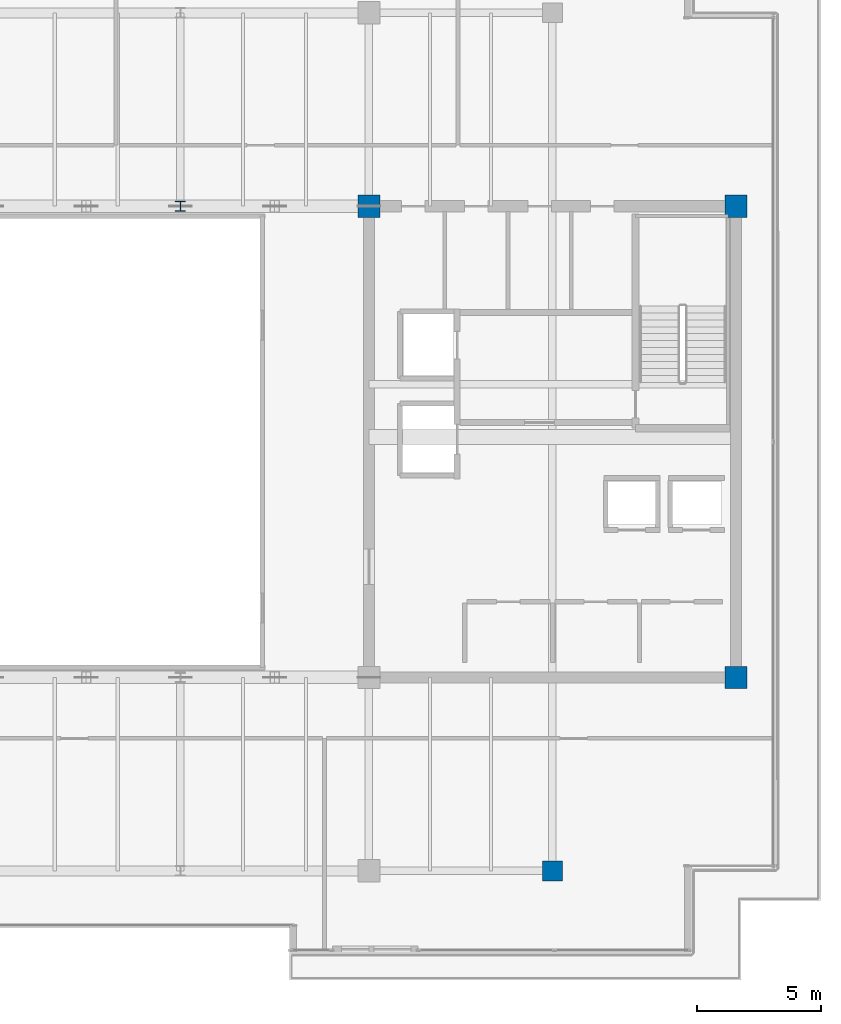
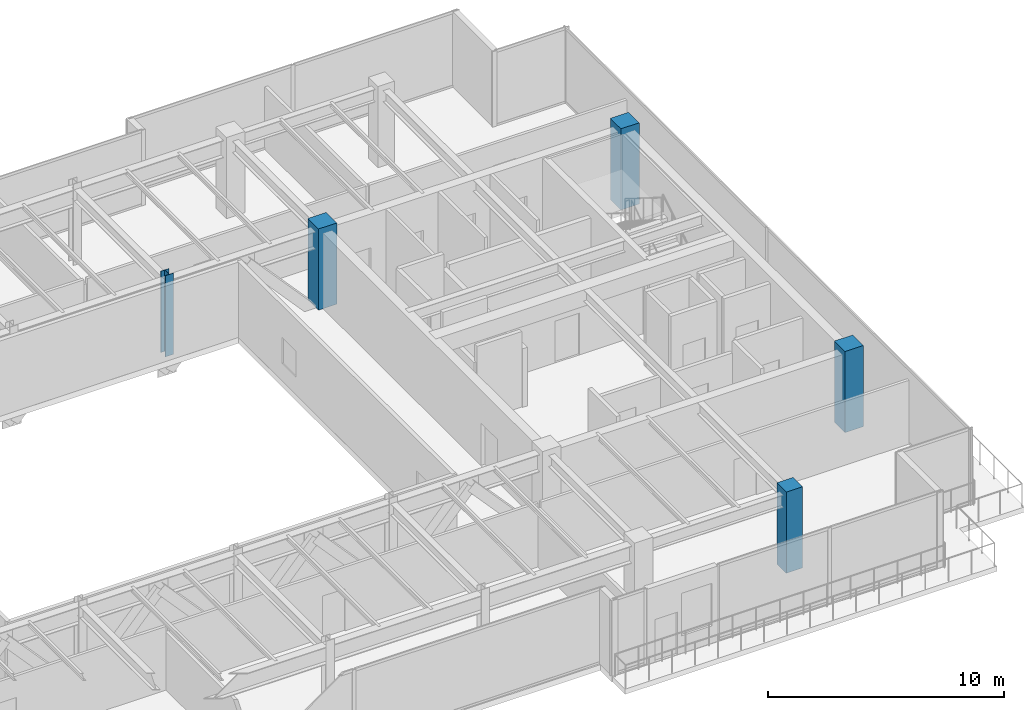
# One storey, part 2 of 34: 5 columns.
"""IFC4 building model written with IfcOpenShell, lengths in metres."""

from ifc_helpers import new_model, si_unit, direction, frame, origin, origin_2d, place, context, subcontext, project, spatial, rectangle, i_section, extrude, source, transform, mapped, material, material_profile, profile_set, type_object, type_shapes, element, save


model = new_model("IFC4")

# Units and contexts
model_context = context("Model", 3, precision=1e-05, world=origin(), true_north=direction((0.0, 1.0)))
body_context = subcontext(model_context, "Body", "Model", "MODEL_VIEW")
ifc_project = project(units=[si_unit("LENGTHUNIT", "METRE"), si_unit("AREAUNIT", "SQUARE_METRE"), si_unit("VOLUMEUNIT", "CUBIC_METRE"), si_unit("PLANEANGLEUNIT", "RADIAN"), si_unit("MASSUNIT", "GRAM", prefix="KILO")], contexts=[model_context])

# Site, building, storey
site_placement = place(None, origin())
site = spatial("IfcSite", under=ifc_project, at=site_placement, CompositionType="ELEMENT")
building_placement = place(site_placement, origin())
building = spatial("IfcBuilding", under=site, at=building_placement, Name="Haelvirn Gate Laboratories", CompositionType="ELEMENT")
storey_placement = place(building_placement, frame((0.0, 0.0, 297.60009765625)))
storey = spatial("IfcBuildingStorey", under=building, at=storey_placement, Name="L71", CompositionType="ELEMENT", Elevation=297.60009765625)

# Columns
ifc_material_1 = material(Name="Concrete C50/60", Category="concrete")
ifc_material_profile_1 = material_profile(ifc_material_1, rectangle(XDim=0.800048828125, YDim=0.800048828125, at=origin_2d()), Name="RC-800x800")
ifc_profile_set_1 = profile_set([ifc_material_profile_1], Name="Concrete C50/60")
column_type_1 = type_object("IfcColumnType", Name="COL-RC-800", PredefinedType="COLUMN", material=ifc_profile_set_1)
shared_shape_1 = source(origin(), body_context, "Body", "SweptSolid", [
    extrude(rectangle(XDim=0.800048828125, YDim=0.800048828125, at=origin_2d()), origin(), (0.0, 0.0, 1.0), 4.199951171875),
])
type_shapes(column_type_1, [shared_shape_1])
column_1_placement = place(storey_placement, frame((60.0, 7.0, 0.0), z_axis=(0.0, 0.0, 1.0), x_axis=(1.0, 0.0, 0.0)))
element("IfcColumn", 1, at=column_1_placement, inside=storey, type_object=column_type_1, Name="L71 Column 9B", PredefinedType="COLUMN", context=body_context, shape_type="MappedRepresentation", body=[
    mapped(shared_shape_1, transform((0.0, 0.0, 0.0), scale=1.0)),
])
ifc_material_profile_2 = material_profile(ifc_material_1, rectangle(XDim=0.89990234375, YDim=0.89990234375, at=origin_2d()), Name="RC-900x900")
ifc_profile_set_2 = profile_set([ifc_material_profile_2], Name="Concrete C50/60")
column_type_2 = type_object("IfcColumnType", Name="COL-RC-900", PredefinedType="COLUMN", material=ifc_profile_set_2)
shared_shape_2 = source(origin(), body_context, "Body", "SweptSolid", [
    extrude(rectangle(XDim=0.89990234375, YDim=0.89990234375, at=origin_2d()), origin(), (0.0, 0.0, 1.0), 4.199951171875),
])
type_shapes(column_type_2, [shared_shape_2])
for number, where, z_axis, x_axis, name in (
    (2, (67.39990234375, 14.800048828125, 0.0), (0.0, 0.0, 1.0), (1.0, 0.0, 0.0), "L71 Column 10C"),
    (3, (52.60009765625, 33.800048828125, 0.0), (0.0, 0.0, 1.0), (1.0, 0.0, 0.0), "L71 Column 8F"),
    (4, (67.39990234375, 33.800048828125, 0.0), (0.0, 0.0, 1.0), (1.0, 0.0, 0.0), "L71 Column 10F"),
):
    element("IfcColumn", number, at=place(storey_placement, frame(where, z_axis=z_axis, x_axis=x_axis)), inside=storey, type_object=column_type_2, Name=name, PredefinedType="COLUMN", context=body_context, shape_type="MappedRepresentation", body=[
        mapped(shared_shape_2, transform((0.0, 0.0, 0.0), scale=1.0)),
    ])
ifc_material_2 = material(Name="Steel SM355", Category="steel")
ifc_material_profile_3 = material_profile(ifc_material_2, i_section(OverallWidth=0.39990234375, OverallDepth=0.39990234375, WebThickness=0.02099609375, FlangeThickness=0.02099609375, at=origin_2d()), Name="H-400x400x21x21")
ifc_profile_set_3 = profile_set([ifc_material_profile_3], Name="Steel SM355")
column_type_3 = type_object("IfcColumnType", Name="COL-H-400", PredefinedType="COLUMN", material=ifc_profile_set_3)
shared_shape_3 = source(origin(), body_context, "Body", "SweptSolid", [
    extrude(i_section(OverallWidth=0.39990234375, OverallDepth=0.39990234375, WebThickness=0.02099609375, FlangeThickness=0.02099609375, at=origin_2d()), origin(), (0.0, 0.0, 1.0), 4.199951171875),
])
type_shapes(column_type_3, [shared_shape_3])
column_2_placement = place(storey_placement, frame((45.0, 33.800048828125, 0.0), z_axis=(0.0, 0.0, 1.0), x_axis=(1.0, 0.0, 0.0)))
element("IfcColumn", 5, at=column_2_placement, inside=storey, type_object=column_type_3, Name="L71 Column 7F", PredefinedType="COLUMN", context=body_context, shape_type="MappedRepresentation", body=[
    mapped(shared_shape_3, transform((0.0, 0.0, 0.0), scale=1.0)),
])

save(model, "model.ifc")
